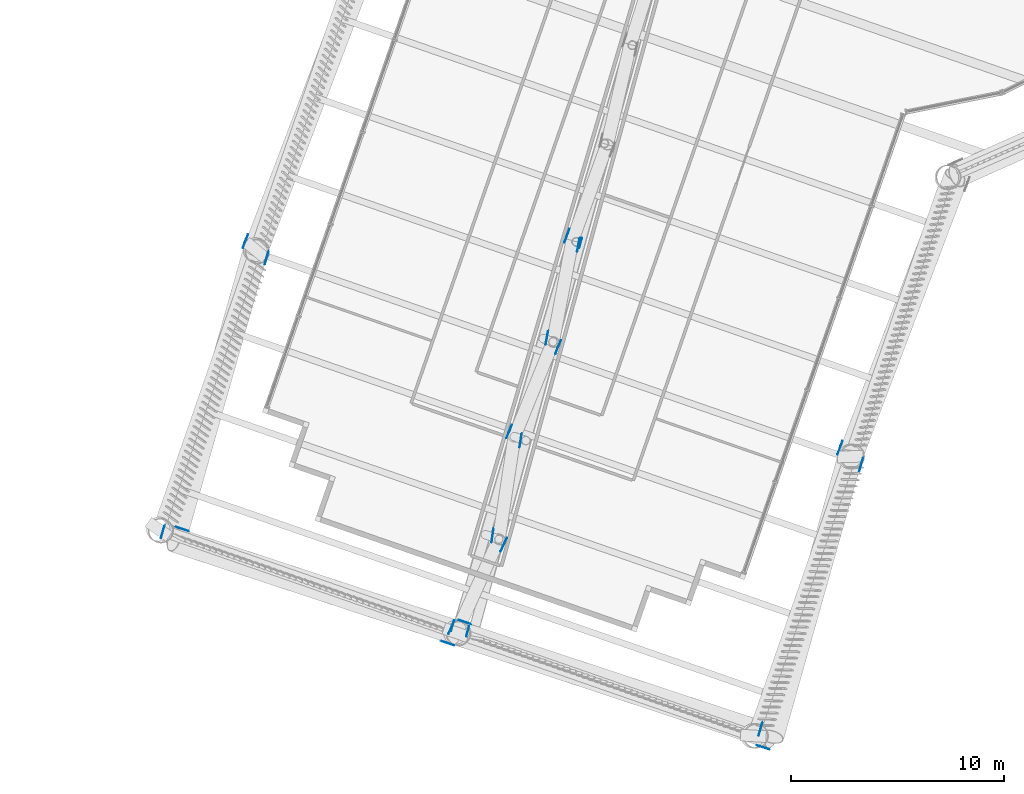
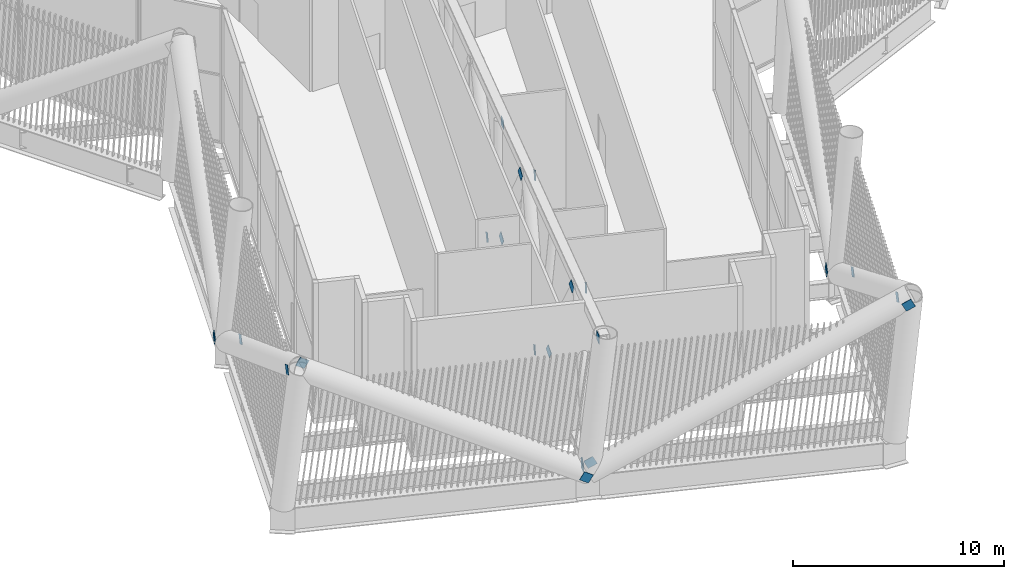
# One storey, part 44 of 63: 22 discrete accessories.
"""IFC4 building model written with IfcOpenShell, lengths in metres."""

from ifc_helpers import new_model, si_unit, direction, frame, origin, origin_2d, place, context, subcontext, project, spatial, rectangle, extrude, material, material_profile, profile_set, type_object, element, save


model = new_model("IFC4")

# Units and contexts
model_context = context("Model", 3, precision=1e-05, world=origin(), true_north=direction((0.0, 1.0)))
body_context = subcontext(model_context, "Body", "Model", "MODEL_VIEW")
ifc_project = project(units=[si_unit("LENGTHUNIT", "METRE"), si_unit("AREAUNIT", "SQUARE_METRE"), si_unit("VOLUMEUNIT", "CUBIC_METRE"), si_unit("PLANEANGLEUNIT", "RADIAN"), si_unit("MASSUNIT", "GRAM", prefix="KILO")], contexts=[model_context])

# Site, building, storey
site_placement = place(None, origin())
site = spatial("IfcSite", under=ifc_project, at=site_placement, CompositionType="ELEMENT")
building_placement = place(site_placement, origin())
building = spatial("IfcBuilding", under=site, at=building_placement, Name="Tarsis Ring Headquarters", CompositionType="ELEMENT")
storey_placement = place(building_placement, frame((0.0, 0.0, 139.60009765625)))
storey = spatial("IfcBuildingStorey", under=building, at=storey_placement, Name="L32", CompositionType="ELEMENT", Elevation=139.60009765625)

# Discrete accessories
ifc_material = material(Name="Structural steel S355", Category="steel")
ifc_material_profile = material_profile(ifc_material, rectangle(XDim=0.02490234375, YDim=0.5, at=origin_2d()), Name="PL 25x500")
ifc_profile_set = profile_set([ifc_material_profile], Name="Structural steel S355")
discrete_accessory_type_1 = type_object("IfcDiscreteAccessoryType", Name="Gusset plate Belt truss 25", PredefinedType="BRACKET", material=ifc_profile_set)
discrete_accessory_1_placement = place(storey_placement, frame((-27.304443359375, -31.673583984375, 0.0), z_axis=(0.306580510676, 0.806970675393, 0.504783834457), x_axis=(-0.934809867643, 0.355148576455, 0.0)))
element("IfcDiscreteAccessory", 1, at=discrete_accessory_1_placement, inside=storey, type_object=discrete_accessory_type_1, Name="Gusset plate GP4", PredefinedType="BRACKET", context=body_context, shape_type="SweptSolid", body=[
    extrude(rectangle(XDim=0.02490234375, YDim=0.5, at=origin_2d()), origin(), (0.0, 0.0, 1.0), 0.5),
])
discrete_accessory_2_placement = place(storey_placement, frame((-26.172607421875, -32.048095703125, 0.0), z_axis=(-0.236923897264, -0.83778244084, 0.491922401123), x_axis=(0.962261505628, -0.272126431621, 0.0)))
element("IfcDiscreteAccessory", 2, at=discrete_accessory_2_placement, inside=storey, type_object=discrete_accessory_type_1, Name="Gusset plate GP4", PredefinedType="BRACKET", context=body_context, shape_type="SweptSolid", body=[
    extrude(rectangle(XDim=0.02490234375, YDim=0.5, at=origin_2d()), origin(), (0.0, 0.0, 1.0), 0.499755859375),
])
for number, where, z_axis, x_axis, name in (
    (3, (-31.172607421875, -45.341552734375, 8.0), (0.236770093235, 0.837726762869, -0.492091245322), (-0.962303021946, 0.271979583708, 0.0), "Gusset plate GP4"),
    (4, (-17.51611328125, -50.44189453125, 0.0), (-0.824369612116, 0.27153406655, 0.496672923887), (-0.312849687838, -0.949802649407, 0.0), "Gusset plate GP4"),
    (5, (-30.411865234375, -44.937255859375, 8.0), (0.824169627126, -0.271468194717, -0.497040687449), (0.312849687838, 0.949802649407, 0.0), "Gusset plate GP4"),
    (6, (-17.14208984375, -49.30859375, 0.0), (0.845242049578, -0.279305865025, 0.45558107005), (0.313758317233, 0.949502879599, 0.0), "Gusset plate GP4"),
    (7, (-2.67626953125, -55.344970703125, 8.0), (-0.845169103576, 0.27879350557, -0.45603000736), (-0.313263660574, -0.94966619344, 0.0), "Gusset plate GP4"),
    (8, (1.7880859375, -41.761962890625, 0.0), (-0.233452071407, -0.831245660116, 0.504510438836), (0.962752230663, -0.270385174064, 0.0), "Gusset plate GP4"),
):
    element("IfcDiscreteAccessory", number, at=place(storey_placement, frame(where, z_axis=z_axis, x_axis=x_axis)), inside=storey, type_object=discrete_accessory_type_1, Name=name, PredefinedType="BRACKET", context=body_context, shape_type="SweptSolid", body=[
        extrude(rectangle(XDim=0.02490234375, YDim=0.5, at=origin_2d()), origin(), (0.0, 0.0, 1.0), 0.5),
    ])
discrete_accessory_3_placement = place(storey_placement, frame((-3.0634765625, -54.6171875, 8.0), z_axis=(0.233299866516, 0.831191783842, -0.504669585727), x_axis=(-0.96279355121, 0.270238002043, 0.0)))
element("IfcDiscreteAccessory", 9, at=discrete_accessory_3_placement, inside=storey, type_object=discrete_accessory_type_1, Name="Gusset plate GP4", PredefinedType="BRACKET", context=body_context, shape_type="SweptSolid", body=[
    extrude(rectangle(XDim=0.02490234375, YDim=0.5, at=origin_2d()), origin(), (0.0, 0.0, 1.0), 0.500244140625),
])
discrete_accessory_4_placement = place(storey_placement, frame((0.655517578125, -41.38916015625, 0.0), z_axis=(0.308591064566, 0.813957760494, 0.492183216903), x_axis=(-0.935055238647, 0.354502046086, 0.0)))
element("IfcDiscreteAccessory", 10, at=discrete_accessory_4_placement, inside=storey, type_object=discrete_accessory_type_1, Name="Gusset plate GP4", PredefinedType="BRACKET", context=body_context, shape_type="SweptSolid", body=[
    extrude(rectangle(XDim=0.02490234375, YDim=0.5, at=origin_2d()), origin(), (0.0, 0.0, 1.0), 0.5),
])
discrete_accessory_type_2 = type_object("IfcDiscreteAccessoryType", Name="Gusset plate Outrigger 25", PredefinedType="BRACKET", material=ifc_profile_set)
for number, where, z_axis, x_axis, name in (
    (11, (-12.150634765625, -31.333984375, 0.25390625), (0.186498427789, 0.515555863206, 0.836313630372), (-0.940364104707, 0.340169590907, 0.0), "Gusset plate GP1"),
    (12, (-11.54052734375, -31.50146484375, 0.25390625), (-0.103998587817, -0.54196447172, 0.833941727656), (0.982082096298, -0.188453591452, 0.0), "Gusset plate GP1"),
    (13, (-13.076904296875, -36.14501953125, 7.5859375), (0.103998587817, 0.54196447172, -0.833941727656), (-0.982082096298, 0.188453591452, 0.0), "Gusset plate GP1"),
    (14, (-12.471435546875, -36.32421875, 7.5859375), (-0.206561437607, -0.508346232977, -0.836012248661), (0.926437481285, -0.376448659542, 0.0), "Gusset plate GP1"),
    (15, (-14.872314453125, -40.543212890625, 0.25390625), (0.207028856077, 0.508294903717, 0.835927833971), (-0.926126895288, 0.377212107207, 0.0), "Gusset plate GP1"),
    (16, (-14.2646484375, -40.71044921875, 0.25390625), (-0.083002815824, -0.547818584435, 0.832469417524), (0.988715504225, -0.149805379428, 0.0), "Gusset plate GP1"),
    (17, (-15.625, -45.43896484375, 7.5859375), (0.083002815824, 0.547818584435, -0.832469417524), (-0.988715504225, 0.149805379428, 0.0), "Gusset plate GP1"),
):
    element("IfcDiscreteAccessory", number, at=place(storey_placement, frame(where, z_axis=z_axis, x_axis=x_axis)), inside=storey, type_object=discrete_accessory_type_2, Name=name, PredefinedType="BRACKET", context=body_context, shape_type="SweptSolid", body=[
        extrude(rectangle(XDim=0.02490234375, YDim=0.5, at=origin_2d()), origin(), (0.0, 0.0, 1.0), 0.5),
    ])
discrete_accessory_5_placement = place(storey_placement, frame((-15.0224609375, -45.617431640625, 7.5859375), z_axis=(-0.226993475973, -0.50085012118, -0.835238359979), x_axis=(0.910821955817, -0.41279942442, 0.0)))
element("IfcDiscreteAccessory", 18, at=discrete_accessory_5_placement, inside=storey, type_object=discrete_accessory_type_2, Name="Gusset plate GP1", PredefinedType="BRACKET", context=body_context, shape_type="SweptSolid", body=[
    extrude(rectangle(XDim=0.02490234375, YDim=0.5, at=origin_2d()), origin(), (0.0, 0.0, 1.0), 0.500244140625),
])
discrete_accessory_6_placement = place(storey_placement, frame((-17.593505859375, -49.752685546875, 0.25390625), z_axis=(0.2270860572, 0.501054397177, 0.835090661961), x_axis=(-0.910821955817, 0.41279942442, 0.0)))
element("IfcDiscreteAccessory", 19, at=discrete_accessory_6_placement, inside=storey, type_object=discrete_accessory_type_2, Name="Gusset plate GP1", PredefinedType="BRACKET", context=body_context, shape_type="SweptSolid", body=[
    extrude(rectangle(XDim=0.02490234375, YDim=0.5, at=origin_2d()), origin(), (0.0, 0.0, 1.0), 0.5),
])
discrete_accessory_type_3 = type_object("IfcDiscreteAccessoryType", Name="Gusset plate Outrigger chord 25", PredefinedType="BRACKET", material=ifc_profile_set)
for number, where, z_axis, x_axis, name in (
    (20, (-17.56005859375, -49.80810546875, 0.25390625), (0.283672706385, 0.958921162376, 0.0), (-0.958921162376, 0.283672706385, 0.0), "Gusset plate GP3"),
    (21, (-16.841552734375, -50.056884765625, 7.5859375), (0.264645755914, 0.964345697287, 0.0), (-0.964345697287, 0.264645755914, 0.0), "Gusset plate GP3"),
    (22, (-11.464111328125, -31.559814453125, 7.331787109375), (0.0, 0.0, -1.0), (0.964375190734, -0.264538260933, 0.0), "Gusset plate GP3"),
):
    element("IfcDiscreteAccessory", number, at=place(storey_placement, frame(where, z_axis=z_axis, x_axis=x_axis)), inside=storey, type_object=discrete_accessory_type_3, Name=name, PredefinedType="BRACKET", context=body_context, shape_type="SweptSolid", body=[
        extrude(rectangle(XDim=0.02490234375, YDim=0.5, at=origin_2d()), origin(), (0.0, 0.0, 1.0), 0.5),
    ])

save(model, "model.ifc")
